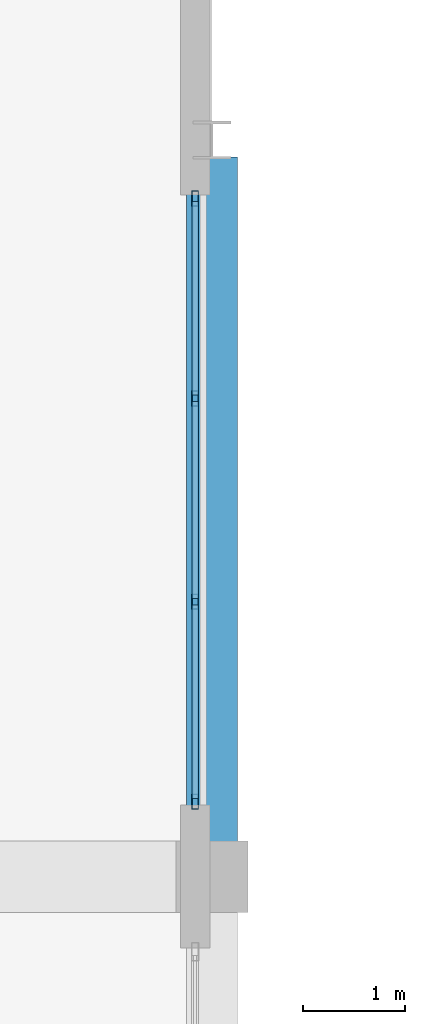
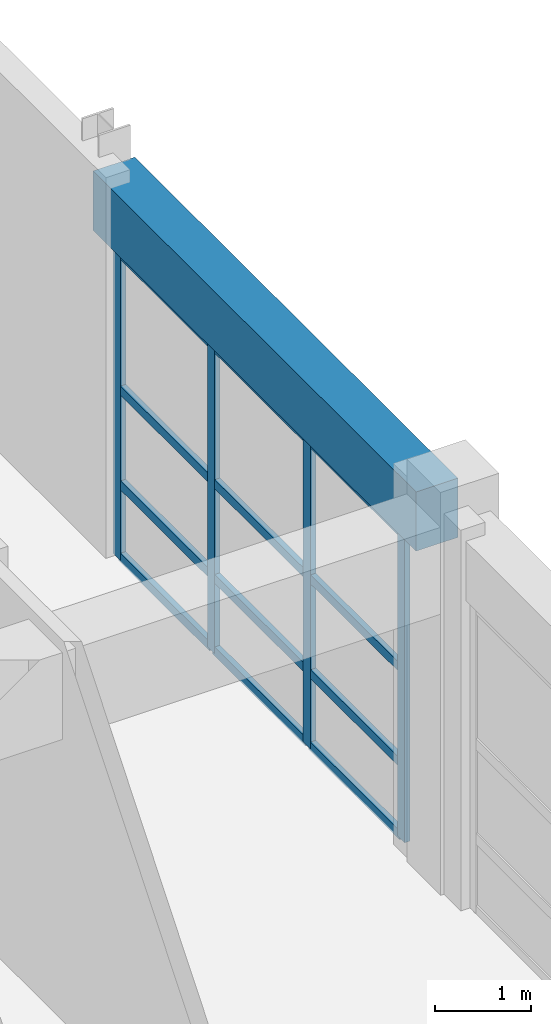
# One storey, part 27 of 78: 16 members, 1 beam, 1 element without a shape of its own.
"""IFC4 building model written with IfcOpenShell, lengths in metres."""

from ifc_helpers import new_model, si_unit, direction, frame, origin, origin_2d, place, context, subcontext, project, spatial, rectangle, hollow_rectangle, extrude, material, layer, layer_set, material_profile, profile_set, type_object, element, aggregate, save


model = new_model("IFC4")

# Units and contexts
model_context = context("Model", 3, precision=1e-05, world=origin(), true_north=direction((0.0, 1.0)))
body_context = subcontext(model_context, "Body", "Model", "MODEL_VIEW")
ifc_project = project(units=[si_unit("LENGTHUNIT", "METRE"), si_unit("AREAUNIT", "SQUARE_METRE"), si_unit("VOLUMEUNIT", "CUBIC_METRE"), si_unit("PLANEANGLEUNIT", "RADIAN"), si_unit("MASSUNIT", "GRAM", prefix="KILO")], contexts=[model_context])

# Site, building, storey
site_placement = place(None, origin())
site = spatial("IfcSite", under=ifc_project, at=site_placement, CompositionType="ELEMENT")
building_placement = place(site_placement, origin())
building = spatial("IfcBuilding", under=site, at=building_placement, Name="Quendrovan Civic Courthouse", CompositionType="ELEMENT")
storey_placement = place(building_placement, frame((0.0, 0.0, 10.199951171875)))
storey = spatial("IfcBuildingStorey", under=building, at=storey_placement, Name="L03", CompositionType="ELEMENT", Elevation=10.199951171875)

# Beam
ifc_material_1 = material(Name="Concrete C40/50", Category="concrete")
ifc_material_profile_1 = material_profile(ifc_material_1, rectangle(XDim=0.5, YDim=0.75, at=origin_2d()), Name="RC-BM-500x750")
ifc_profile_set_1 = profile_set([ifc_material_profile_1], Name="Concrete C40/50")
beam_type = type_object("IfcBeamType", Name="BM-RC750", PredefinedType="SPANDREL", material=ifc_profile_set_1)
beam_placement = place(storey_placement, frame((16.800048828125, 80.72998046875, 4.28515625), z_axis=(0.0, 1.0, 0.0), x_axis=(-1.0, 0.0, 0.0)))
element("IfcBeam", 1, at=beam_placement, inside=storey, type_object=beam_type, Name="L03 Girder Y0818", PredefinedType="SPANDREL", context=body_context, shape_type="SweptSolid", body=[
    extrude(rectangle(XDim=0.5, YDim=0.75, at=origin_2d()), origin(), (0.0, 0.0, 1.0), 6.7041015625),
])

# Curtain wall, members
ifc_material_2 = material(Name="Bronze anodised aluminium and low-E glass", Category="aluminium")
ifc_layer = layer(ifc_material_2, 0.179931640625, Name="Bronze anodised aluminium and low-E glass")
ifc_layer_set = layer_set([ifc_layer], Name="Bronze anodised aluminium and low-E glass")
curtain_wall_type = type_object("IfcCurtainWallType", Name="CW-U60x39", PredefinedType="USERDEFINED", material=ifc_layer_set)
curtain_wall_placement = place(storey_placement, origin())
curtain_wall = element("IfcCurtainWall", 2, at=curtain_wall_placement, inside=storey, type_object=curtain_wall_type, Name="L03 Unitised Hurricane Curtain Wall CW-119", ObjectType="UNITISED CURTAIN WALL", PredefinedType="USERDEFINED")
ifc_material_3 = material(Name="Bronze anodised aluminium", Category="aluminium")
ifc_material_profile_2 = material_profile(ifc_material_3, hollow_rectangle(XDim=0.06494140625, YDim=0.14990234375, WallThickness=0.00390625, at=origin_2d()), Name="CW-MULL-65x150")
ifc_profile_set_2 = profile_set([ifc_material_profile_2], Name="Bronze anodised aluminium")
member_type_1 = type_object("IfcMemberType", Name="CW-MULL-B", PredefinedType="MULLION", material=ifc_profile_set_2)
member_1_placement = place(storey_placement, frame((16.635009765625, 87.030517578125, 0.0), z_axis=(0.0, 0.0, 1.0), x_axis=(1.0, 0.0, 0.0)))
member_1 = element("IfcMember", 3, at=member_1_placement, type_object=member_type_1, Name="CW-119 mullion 1", PredefinedType="MULLION", context=body_context, shape_type="SweptSolid", body=[
    extrude(hollow_rectangle(XDim=0.06494140625, YDim=0.14990234375, WallThickness=0.00390625, at=origin_2d()), origin(), (0.0, 0.0, 1.0), 3.900146484375),
])
member_2_placement = place(storey_placement, frame((16.635009765625, 85.075439453125, 0.0), z_axis=(0.0, 0.0, 1.0), x_axis=(1.0, 0.0, 0.0)))
member_2 = element("IfcMember", 4, at=member_2_placement, type_object=member_type_1, Name="CW-119 mullion 2", PredefinedType="MULLION", context=body_context, shape_type="SweptSolid", body=[
    extrude(hollow_rectangle(XDim=0.06494140625, YDim=0.14990234375, WallThickness=0.00390625, at=origin_2d()), origin(), (0.0, 0.0, 1.0), 3.900146484375),
])
member_3_placement = place(storey_placement, frame((16.635009765625, 83.087646484375, 0.0), z_axis=(0.0, 0.0, 1.0), x_axis=(1.0, 0.0, 0.0)))
member_3 = element("IfcMember", 5, at=member_3_placement, type_object=member_type_1, Name="CW-119 mullion 3", PredefinedType="MULLION", context=body_context, shape_type="SweptSolid", body=[
    extrude(hollow_rectangle(XDim=0.06494140625, YDim=0.14990234375, WallThickness=0.00390625, at=origin_2d()), origin(), (0.0, 0.0, 1.0), 3.900146484375),
])
member_4_placement = place(storey_placement, frame((16.635009765625, 81.132568359375, 0.0), z_axis=(0.0, 0.0, 1.0), x_axis=(1.0, 0.0, 0.0)))
member_4 = element("IfcMember", 6, at=member_4_placement, type_object=member_type_1, Name="CW-119 mullion 4", PredefinedType="MULLION", context=body_context, shape_type="SweptSolid", body=[
    extrude(hollow_rectangle(XDim=0.06494140625, YDim=0.14990234375, WallThickness=0.00390625, at=origin_2d()), origin(), (0.0, 0.0, 1.0), 3.900146484375),
])
ifc_material_profile_3 = material_profile(ifc_material_3, hollow_rectangle(XDim=0.06494140625, YDim=0.114990234375, WallThickness=0.00390625, at=origin_2d()), Name="CW-TRAN-65x115")
ifc_profile_set_3 = profile_set([ifc_material_profile_3], Name="Bronze anodised aluminium")
member_type_2 = type_object("IfcMemberType", Name="CW-TRAN-B", PredefinedType="USERDEFINED", material=ifc_profile_set_3)
member_5_placement = place(storey_placement, frame((16.635009765625, 86.998046875, 0.032470703125), z_axis=(0.0, -1.0, 0.0), x_axis=(1.0, 0.0, 0.0)))
member_5 = element("IfcMember", 7, at=member_5_placement, type_object=member_type_2, Name="CW-119 transom 1.1", ObjectType="TRANSOM", PredefinedType="USERDEFINED", context=body_context, shape_type="SweptSolid", body=[
    extrude(hollow_rectangle(XDim=0.06494140625, YDim=0.114990234375, WallThickness=0.00390625, at=origin_2d()), origin(), (0.0, 0.0, 1.0), 1.89013671875),
])
member_6_placement = place(storey_placement, frame((16.635009765625, 86.998046875, 0.949951171875), z_axis=(0.0, -1.0, 0.0), x_axis=(1.0, 0.0, 0.0)))
member_6 = element("IfcMember", 8, at=member_6_placement, type_object=member_type_2, Name="CW-119 transom 1.2", ObjectType="TRANSOM", PredefinedType="USERDEFINED", context=body_context, shape_type="SweptSolid", body=[
    extrude(hollow_rectangle(XDim=0.06494140625, YDim=0.114990234375, WallThickness=0.00390625, at=origin_2d()), origin(), (0.0, 0.0, 1.0), 1.89013671875),
])
member_7_placement = place(storey_placement, frame((16.635009765625, 86.998046875, 2.150146484375), z_axis=(0.0, -1.0, 0.0), x_axis=(1.0, 0.0, 0.0)))
member_7 = element("IfcMember", 9, at=member_7_placement, type_object=member_type_2, Name="CW-119 transom 1.3", ObjectType="TRANSOM", PredefinedType="USERDEFINED", context=body_context, shape_type="SweptSolid", body=[
    extrude(hollow_rectangle(XDim=0.06494140625, YDim=0.114990234375, WallThickness=0.00390625, at=origin_2d()), origin(), (0.0, 0.0, 1.0), 1.89013671875),
])
member_8_placement = place(storey_placement, frame((16.635009765625, 86.998046875, 3.867431640625), z_axis=(0.0, -1.0, 0.0), x_axis=(1.0, 0.0, 0.0)))
member_8 = element("IfcMember", 10, at=member_8_placement, type_object=member_type_2, Name="CW-119 transom 1.4", ObjectType="TRANSOM", PredefinedType="USERDEFINED", context=body_context, shape_type="SweptSolid", body=[
    extrude(hollow_rectangle(XDim=0.06494140625, YDim=0.114990234375, WallThickness=0.00390625, at=origin_2d()), origin(), (0.0, 0.0, 1.0), 1.89013671875),
])
member_9_placement = place(storey_placement, frame((16.635009765625, 85.042724609375, 0.032470703125), z_axis=(0.0, -1.0, 0.0), x_axis=(1.0, 0.0, 0.0)))
member_9 = element("IfcMember", 11, at=member_9_placement, type_object=member_type_2, Name="CW-119 transom 2.1", ObjectType="TRANSOM", PredefinedType="USERDEFINED", context=body_context, shape_type="SweptSolid", body=[
    extrude(hollow_rectangle(XDim=0.06494140625, YDim=0.114990234375, WallThickness=0.00390625, at=origin_2d()), origin(), (0.0, 0.0, 1.0), 1.922607421875),
])
member_10_placement = place(storey_placement, frame((16.635009765625, 85.042724609375, 0.949951171875), z_axis=(0.0, -1.0, 0.0), x_axis=(1.0, 0.0, 0.0)))
member_10 = element("IfcMember", 12, at=member_10_placement, type_object=member_type_2, Name="CW-119 transom 2.2", ObjectType="TRANSOM", PredefinedType="USERDEFINED", context=body_context, shape_type="SweptSolid", body=[
    extrude(hollow_rectangle(XDim=0.06494140625, YDim=0.114990234375, WallThickness=0.00390625, at=origin_2d()), origin(), (0.0, 0.0, 1.0), 1.922607421875),
])
member_11_placement = place(storey_placement, frame((16.635009765625, 85.042724609375, 2.150146484375), z_axis=(0.0, -1.0, 0.0), x_axis=(1.0, 0.0, 0.0)))
member_11 = element("IfcMember", 13, at=member_11_placement, type_object=member_type_2, Name="CW-119 transom 2.3", ObjectType="TRANSOM", PredefinedType="USERDEFINED", context=body_context, shape_type="SweptSolid", body=[
    extrude(hollow_rectangle(XDim=0.06494140625, YDim=0.114990234375, WallThickness=0.00390625, at=origin_2d()), origin(), (0.0, 0.0, 1.0), 1.922607421875),
])
member_12_placement = place(storey_placement, frame((16.635009765625, 85.042724609375, 3.867431640625), z_axis=(0.0, -1.0, 0.0), x_axis=(1.0, 0.0, 0.0)))
member_12 = element("IfcMember", 14, at=member_12_placement, type_object=member_type_2, Name="CW-119 transom 2.4", ObjectType="TRANSOM", PredefinedType="USERDEFINED", context=body_context, shape_type="SweptSolid", body=[
    extrude(hollow_rectangle(XDim=0.06494140625, YDim=0.114990234375, WallThickness=0.00390625, at=origin_2d()), origin(), (0.0, 0.0, 1.0), 1.922607421875),
])
member_13_placement = place(storey_placement, frame((16.635009765625, 83.05517578125, 0.032470703125), z_axis=(0.0, -1.0, 0.0), x_axis=(1.0, 0.0, 0.0)))
member_13 = element("IfcMember", 15, at=member_13_placement, type_object=member_type_2, Name="CW-119 transom 3.1", ObjectType="TRANSOM", PredefinedType="USERDEFINED", context=body_context, shape_type="SweptSolid", body=[
    extrude(hollow_rectangle(XDim=0.06494140625, YDim=0.114990234375, WallThickness=0.00390625, at=origin_2d()), origin(), (0.0, 0.0, 1.0), 1.89013671875),
])
member_14_placement = place(storey_placement, frame((16.635009765625, 83.05517578125, 0.949951171875), z_axis=(0.0, -1.0, 0.0), x_axis=(1.0, 0.0, 0.0)))
member_14 = element("IfcMember", 16, at=member_14_placement, type_object=member_type_2, Name="CW-119 transom 3.2", ObjectType="TRANSOM", PredefinedType="USERDEFINED", context=body_context, shape_type="SweptSolid", body=[
    extrude(hollow_rectangle(XDim=0.06494140625, YDim=0.114990234375, WallThickness=0.00390625, at=origin_2d()), origin(), (0.0, 0.0, 1.0), 1.89013671875),
])
member_15_placement = place(storey_placement, frame((16.635009765625, 83.05517578125, 2.150146484375), z_axis=(0.0, -1.0, 0.0), x_axis=(1.0, 0.0, 0.0)))
member_15 = element("IfcMember", 17, at=member_15_placement, type_object=member_type_2, Name="CW-119 transom 3.3", ObjectType="TRANSOM", PredefinedType="USERDEFINED", context=body_context, shape_type="SweptSolid", body=[
    extrude(hollow_rectangle(XDim=0.06494140625, YDim=0.114990234375, WallThickness=0.00390625, at=origin_2d()), origin(), (0.0, 0.0, 1.0), 1.89013671875),
])
member_16_placement = place(storey_placement, frame((16.635009765625, 83.05517578125, 3.867431640625), z_axis=(0.0, -1.0, 0.0), x_axis=(1.0, 0.0, 0.0)))
member_16 = element("IfcMember", 18, at=member_16_placement, type_object=member_type_2, Name="CW-119 transom 3.4", ObjectType="TRANSOM", PredefinedType="USERDEFINED", context=body_context, shape_type="SweptSolid", body=[
    extrude(hollow_rectangle(XDim=0.06494140625, YDim=0.114990234375, WallThickness=0.00390625, at=origin_2d()), origin(), (0.0, 0.0, 1.0), 1.89013671875),
])
aggregate(curtain_wall, [member_1, member_2, member_3, member_4, member_5, member_6, member_7, member_8, member_9, member_10, member_11, member_12, member_13, member_14, member_15, member_16])

save(model, "model.ifc")
